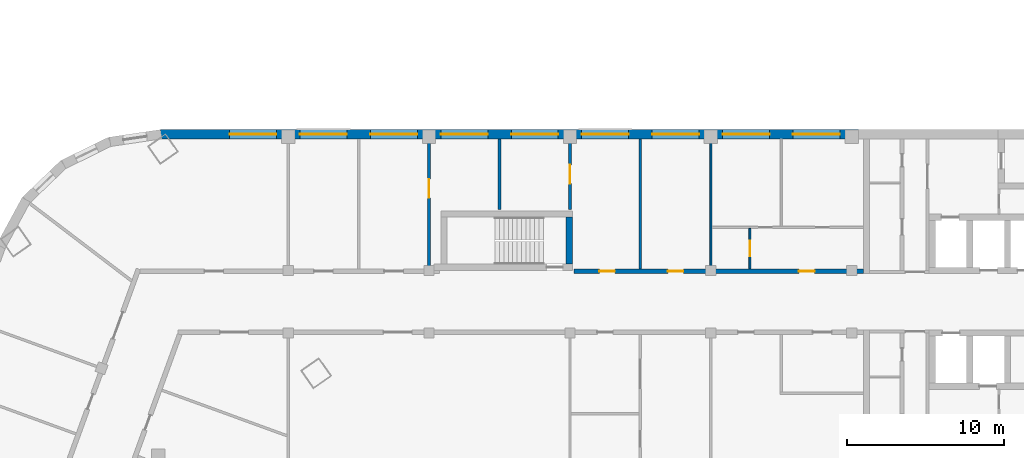
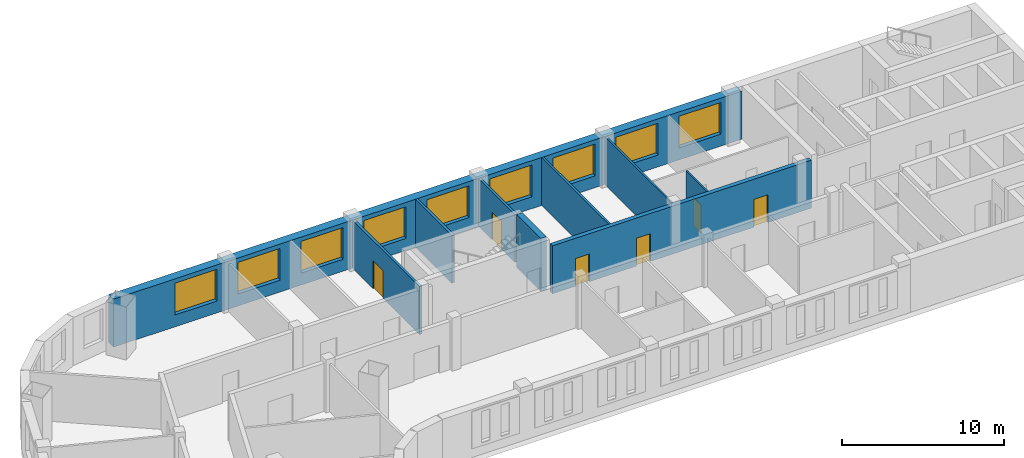
# One storey, part 7 of 11: 9 walls, 9 windows, 6 doors, 15 openings.
"""IFC4 building model written with IfcOpenShell, lengths in metres."""

from ifc_helpers import new_model, si_unit, direction, frame, frame_2d, origin, place, context, subcontext, project, spatial, rectangle, extrude, material, layer, layer_set, type_object, element, fill, save


model = new_model("IFC4")

# Units and contexts
model_context = context("Model", 3, precision=1e-05, world=origin(), true_north=direction((0.0, 1.0)))
body_context = subcontext(model_context, "Body", "Model", "MODEL_VIEW")
ifc_project = project(units=[si_unit("LENGTHUNIT", "METRE"), si_unit("AREAUNIT", "SQUARE_METRE"), si_unit("VOLUMEUNIT", "CUBIC_METRE"), si_unit("PLANEANGLEUNIT", "RADIAN"), si_unit("MASSUNIT", "GRAM", prefix="KILO")], contexts=[model_context])

# Site, building, storey
site_placement = place(None, origin())
site = spatial("IfcSite", under=ifc_project, at=site_placement, CompositionType="ELEMENT")
building_placement = place(site_placement, origin())
building = spatial("IfcBuilding", under=site, at=building_placement, Name="Skarvind Civic Tower", CompositionType="ELEMENT")
storey_placement = place(building_placement, frame((0.0, 0.0, 113.0)))
storey = spatial("IfcBuildingStorey", under=building, at=storey_placement, Name="L26", CompositionType="ELEMENT", Elevation=113.0)

# Wall, opening, door
ifc_material_1 = material(Name="Acoustic gypsum board on steel studs", Category="steel")
ifc_layer_1 = layer(ifc_material_1, 0.175048828125)
ifc_layer_set_1 = layer_set([ifc_layer_1], Name="ACOUSTIC MEETING-ROOM PARTITION 175")
wall_type_1 = type_object("IfcWallType", Name="ACOUSTIC MEETING-ROOM PARTITION 175", PredefinedType="PARTITIONING", material=ifc_layer_set_1)
wall_1_placement = place(storey_placement, frame((63.25, 130.10009765625, 0.0), z_axis=(0.0, 0.0, 1.0), x_axis=(0.0, 1.0, 0.0)))
wall_1 = element("IfcWall", 1, at=wall_1_placement, inside=storey, type_object=wall_type_1, Name="Partition 26.019", PredefinedType="PARTITIONING", context=body_context, shape_type="SweptSolid", body=[
    extrude(rectangle(XDim=8.2998046875, YDim=0.175048828125, at=frame_2d((4.14990234375, 0.0))), origin(), (0.0, 0.0, 1.0), 3.625),
])
opening_1_placement = place(wall_1_placement, frame((4.5400390625, 0.0, 0.0)))
opening_1 = element("IfcOpeningElement", 2, at=opening_1_placement, cuts=wall_1, Name="Opening L26-D008", PredefinedType="OPENING", context=body_context, shape_type="SweptSolid", body=[
    extrude(rectangle(XDim=1.199951171875, YDim=2.10009765625, at=frame_2d((0.60009765625, 1.050048828125))), frame((0.0, 0.097412109375, 0.0), z_axis=(0.0, -1.0, 0.0), x_axis=(1.0, 0.0, 0.0)), (0.0, 0.0, 1.0), 0.195068359375),
])
ifc_material_2 = material(Name="Timber door leaf", Category="wood")
door_type_1 = type_object("IfcDoorType", Name="DOOR 1200X2100 DOUBLE TIMBER", OperationType="NOTDEFINED", PredefinedType="DOOR", material=ifc_material_2)
door_1_placement = place(opening_1_placement, origin())
door_1 = element("IfcDoor", 3, at=door_1_placement, inside=storey, type_object=door_type_1, Name="Door L26-D008", OperationType="DOUBLE_DOOR_SINGLE_SWING", OverallHeight=2.10009765625, OverallWidth=1.199951171875, PredefinedType="DOOR", context=body_context, shape_type="SweptSolid", body=[
    extrude(rectangle(XDim=1.199951171875, YDim=2.10009765625, at=frame_2d((0.60009765625, 1.050048828125))), frame((0.0, 0.02490234375, 0.0), z_axis=(0.0, -1.0, 0.0), x_axis=(1.0, 0.0, 0.0)), (0.0, 0.0, 1.0), 0.050048828125),
])
fill(opening_1, door_1)

# Wall
wall_2_placement = place(storey_placement, frame((67.75, 133.89990234375, 0.0), z_axis=(0.0, 0.0, 1.0), x_axis=(0.0, 1.0, 0.0)))
element("IfcWall", 4, at=wall_2_placement, inside=storey, type_object=wall_type_1, Name="Partition 26.020", PredefinedType="PARTITIONING", context=body_context, shape_type="SweptSolid", body=[
    extrude(rectangle(XDim=4.5, YDim=0.175048828125, at=frame_2d((2.25, 0.0))), origin(), (0.0, 0.0, 1.0), 3.625),
])

# Wall, opening, door
wall_3_placement = place(storey_placement, frame((72.25, 133.89990234375, 0.0), z_axis=(0.0, 0.0, 1.0), x_axis=(0.0, 1.0, 0.0)))
wall_3 = element("IfcWall", 5, at=wall_3_placement, inside=storey, type_object=wall_type_1, Name="Partition 26.023", PredefinedType="PARTITIONING", context=body_context, shape_type="SweptSolid", body=[
    extrude(rectangle(XDim=4.5, YDim=0.175048828125, at=frame_2d((2.25, 0.0))), origin(), (0.0, 0.0, 1.0), 3.625),
])
opening_2_placement = place(wall_3_placement, frame((1.64990234375, 0.0, 0.0)))
opening_2 = element("IfcOpeningElement", 6, at=opening_2_placement, cuts=wall_3, Name="Opening L26-D007", PredefinedType="OPENING", context=body_context, shape_type="SweptSolid", body=[
    extrude(rectangle(XDim=1.199951171875, YDim=2.10009765625, at=frame_2d((0.60009765625, 1.050048828125))), frame((0.0, 0.097412109375, 0.0), z_axis=(0.0, -1.0, 0.0), x_axis=(1.0, 0.0, 0.0)), (0.0, 0.0, 1.0), 0.195068359375),
])
door_2_placement = place(opening_2_placement, origin())
door_2 = element("IfcDoor", 7, at=door_2_placement, inside=storey, type_object=door_type_1, Name="Door L26-D007", OperationType="DOUBLE_DOOR_SINGLE_SWING", OverallHeight=2.10009765625, OverallWidth=1.199951171875, PredefinedType="DOOR", context=body_context, shape_type="SweptSolid", body=[
    extrude(rectangle(XDim=1.199951171875, YDim=2.10009765625, at=frame_2d((0.60009765625, 1.050048828125))), frame((0.0, 0.02490234375, 0.0), z_axis=(0.0, -1.0, 0.0), x_axis=(1.0, 0.0, 0.0)), (0.0, 0.0, 1.0), 0.050048828125),
])
fill(opening_2, door_2)

# Wall, openings, doors
ifc_material_3 = material(Name="Fire-rated gypsum board on steel studs", Category="steel")
ifc_layer_2 = layer(ifc_material_3, 0.300048828125)
ifc_layer_set_2 = layer_set([ifc_layer_2], Name="CORRIDOR WALL 300")
wall_type_2 = type_object("IfcWallType", Name="CORRIDOR WALL 300", PredefinedType="PARTITIONING", material=ifc_layer_set_2)
wall_4_placement = place(storey_placement, frame((72.5, 129.949951171875, 0.0), z_axis=(0.0, 0.0, 1.0), x_axis=(1.0, 0.0, 0.0)))
wall_4 = element("IfcWall", 8, at=wall_4_placement, inside=storey, type_object=wall_type_2, Name="Partition 26.024", PredefinedType="PARTITIONING", context=body_context, shape_type="SweptSolid", body=[
    extrude(rectangle(XDim=18.5, YDim=0.300048828125, at=frame_2d((9.25, 0.0))), origin(), (0.0, 0.0, 1.0), 3.625),
])
opening_3_placement = place(wall_4_placement, frame((14.375, 0.0, 0.0)))
opening_3 = element("IfcOpeningElement", 9, at=opening_3_placement, cuts=wall_4, Name="Opening L26-D001", PredefinedType="OPENING", context=body_context, shape_type="SweptSolid", body=[
    extrude(rectangle(XDim=1.0, YDim=2.10009765625, at=frame_2d((0.5, 1.050048828125))), frame((0.0, 0.159912109375, 0.0), z_axis=(0.0, -1.0, 0.0), x_axis=(1.0, 0.0, 0.0)), (0.0, 0.0, 1.0), 0.320068359375),
])
opening_4_placement = place(wall_4_placement, frame((6.0, 0.0, 0.0)))
opening_4 = element("IfcOpeningElement", 10, at=opening_4_placement, cuts=wall_4, Name="Opening L26-D005", PredefinedType="OPENING", context=body_context, shape_type="SweptSolid", body=[
    extrude(rectangle(XDim=1.0, YDim=2.10009765625, at=frame_2d((0.5, 1.050048828125))), frame((0.0, 0.159912109375, 0.0), z_axis=(0.0, -1.0, 0.0), x_axis=(1.0, 0.0, 0.0)), (0.0, 0.0, 1.0), 0.320068359375),
])
opening_5_placement = place(wall_4_placement, frame((1.625, 0.0, 0.0)))
opening_5 = element("IfcOpeningElement", 11, at=opening_5_placement, cuts=wall_4, Name="Opening L26-D006", PredefinedType="OPENING", context=body_context, shape_type="SweptSolid", body=[
    extrude(rectangle(XDim=1.0, YDim=2.10009765625, at=frame_2d((0.5, 1.050048828125))), frame((0.0, 0.159912109375, 0.0), z_axis=(0.0, -1.0, 0.0), x_axis=(1.0, 0.0, 0.0)), (0.0, 0.0, 1.0), 0.320068359375),
])
ifc_material_4 = material(Name="Fire-rated timber door leaf", Category="wood")
door_type_2 = type_object("IfcDoorType", Name="FD1 1000x2100", OperationType="NOTDEFINED", PredefinedType="DOOR", material=ifc_material_4)
door_3_placement = place(opening_3_placement, origin())
door_3 = element("IfcDoor", 12, at=door_3_placement, inside=storey, type_object=door_type_2, Name="Door L26-D001", OperationType="SINGLE_SWING_LEFT", OverallHeight=2.10009765625, OverallWidth=1.0, PredefinedType="DOOR", context=body_context, shape_type="SweptSolid", body=[
    extrude(rectangle(XDim=1.0, YDim=2.10009765625, at=frame_2d((0.5, 1.050048828125))), frame((0.0, 0.02490234375, 0.0), z_axis=(0.0, -1.0, 0.0), x_axis=(1.0, 0.0, 0.0)), (0.0, 0.0, 1.0), 0.050048828125),
])
fill(opening_3, door_3)
door_4_placement = place(opening_4_placement, origin())
door_4 = element("IfcDoor", 13, at=door_4_placement, inside=storey, type_object=door_type_2, Name="Door L26-D005", OperationType="SINGLE_SWING_RIGHT", OverallHeight=2.10009765625, OverallWidth=1.0, PredefinedType="DOOR", context=body_context, shape_type="SweptSolid", body=[
    extrude(rectangle(XDim=1.0, YDim=2.10009765625, at=frame_2d((0.5, 1.050048828125))), frame((0.0, 0.02490234375, 0.0), z_axis=(0.0, -1.0, 0.0), x_axis=(1.0, 0.0, 0.0)), (0.0, 0.0, 1.0), 0.050048828125),
])
fill(opening_4, door_4)
door_5_placement = place(opening_5_placement, origin())
door_5 = element("IfcDoor", 14, at=door_5_placement, inside=storey, type_object=door_type_2, Name="Door L26-D006", OperationType="SINGLE_SWING_LEFT", OverallHeight=2.10009765625, OverallWidth=1.0, PredefinedType="DOOR", context=body_context, shape_type="SweptSolid", body=[
    extrude(rectangle(XDim=1.0, YDim=2.10009765625, at=frame_2d((0.5, 1.050048828125))), frame((0.0, 0.02490234375, 0.0), z_axis=(0.0, -1.0, 0.0), x_axis=(1.0, 0.0, 0.0)), (0.0, 0.0, 1.0), 0.050048828125),
])
fill(opening_5, door_5)

# Walls
ifc_material_5 = material(Name="Concrete C80", Category="concrete")
ifc_layer_3 = layer(ifc_material_5, 0.39990234375)
ifc_layer_set_3 = layer_set([ifc_layer_3], Name="Core wall 400 C80")
wall_type_3 = type_object("IfcWallType", Name="Core wall 400 C80", PredefinedType="SHEAR", material=ifc_layer_set_3)
wall_5_placement = place(storey_placement, frame((72.199951171875, 130.39990234375, 0.0), z_axis=(0.0, 0.0, 1.0), x_axis=(0.0, 1.0, 0.0)))
element("IfcWall", 15, at=wall_5_placement, inside=storey, type_object=wall_type_3, Name="Core wall CM end L26", PredefinedType="SHEAR", context=body_context, shape_type="SweptSolid", body=[
    extrude(rectangle(XDim=3.0, YDim=0.39990234375, at=frame_2d((1.5, 0.0))), origin(), (0.0, 0.0, 1.0), 4.0),
])
ifc_material_6 = material(Name="Plasterboard partition on steel studs", Category="steel")
ifc_layer_4 = layer(ifc_material_6, 0.14990234375)
ifc_layer_set_4 = layer_set([ifc_layer_4], Name="PARTITION 150")
wall_type_4 = type_object("IfcWallType", Name="PARTITION 150", PredefinedType="PARTITIONING", material=ifc_layer_set_4)
wall_6_placement = place(storey_placement, frame((76.75, 130.10009765625, 0.0), z_axis=(0.0, 0.0, 1.0), x_axis=(0.0, 1.0, 0.0)))
element("IfcWall", 16, at=wall_6_placement, inside=storey, type_object=wall_type_4, Name="Partition 26.026", PredefinedType="PARTITIONING", context=body_context, shape_type="SweptSolid", body=[
    extrude(rectangle(XDim=8.2998046875, YDim=0.14990234375, at=frame_2d((4.14990234375, 0.0))), origin(), (0.0, 0.0, 1.0), 3.625),
])
ifc_material_7 = material(Name="Moisture-resistant gypsum board on steel studs", Category="steel")
ifc_layer_5 = layer(ifc_material_7, 0.125)
ifc_layer_set_5 = layer_set([ifc_layer_5], Name="WC PARTITION 125")
wall_type_5 = type_object("IfcWallType", Name="WC PARTITION 125", PredefinedType="PARTITIONING", material=ifc_layer_set_5)
wall_7_placement = place(storey_placement, frame((81.25, 130.10009765625, 0.0), z_axis=(0.0, 0.0, 1.0), x_axis=(0.0, 1.0, 0.0)))
element("IfcWall", 17, at=wall_7_placement, inside=storey, type_object=wall_type_5, Name="Partition 26.028", PredefinedType="PARTITIONING", context=body_context, shape_type="SweptSolid", body=[
    extrude(rectangle(XDim=8.2998046875, YDim=0.125, at=frame_2d((4.14990234375, 0.0))), origin(), (0.0, 0.0, 1.0), 3.625),
])

# Wall, opening, door
wall_8_placement = place(storey_placement, frame((83.75, 130.10009765625, 0.0), z_axis=(0.0, 0.0, 1.0), x_axis=(0.0, 1.0, 0.0)))
wall_8 = element("IfcWall", 18, at=wall_8_placement, inside=storey, type_object=wall_type_5, Name="Partition 26.030", PredefinedType="PARTITIONING", context=body_context, shape_type="SweptSolid", body=[
    extrude(rectangle(XDim=2.587890625, YDim=0.125, at=frame_2d((1.2939453125, 0.0))), origin(), (0.0, 0.0, 1.0), 3.625),
])
opening_6_placement = place(wall_8_placement, frame((0.7939453125, 0.0, 0.0)))
opening_6 = element("IfcOpeningElement", 19, at=opening_6_placement, cuts=wall_8, Name="Opening L26-D002", PredefinedType="OPENING", context=body_context, shape_type="SweptSolid", body=[
    extrude(rectangle(XDim=1.0, YDim=2.10009765625, at=frame_2d((0.5, 1.050048828125))), frame((0.0, 0.072509765625, 0.0), z_axis=(0.0, -1.0, 0.0), x_axis=(1.0, 0.0, 0.0)), (0.0, 0.0, 1.0), 0.14501953125),
])
door_type_3 = type_object("IfcDoorType", Name="D1 1000x2100", OperationType="NOTDEFINED", PredefinedType="DOOR", material=ifc_material_2)
door_6_placement = place(opening_6_placement, origin())
door_6 = element("IfcDoor", 20, at=door_6_placement, inside=storey, type_object=door_type_3, Name="Door L26-D002", OperationType="SINGLE_SWING_RIGHT", OverallHeight=2.10009765625, OverallWidth=1.0, PredefinedType="DOOR", context=body_context, shape_type="SweptSolid", body=[
    extrude(rectangle(XDim=1.0, YDim=2.10009765625, at=frame_2d((0.5, 1.050048828125))), frame((0.0, 0.02490234375, 0.0), z_axis=(0.0, -1.0, 0.0), x_axis=(1.0, 0.0, 0.0)), (0.0, 0.0, 1.0), 0.050048828125),
])
fill(opening_6, door_6)

# Wall, openings, windows
ifc_material_8 = material(Name="Limestone masonry cladding on insulated backing", Category="masonry")
ifc_layer_6 = layer(ifc_material_8, 0.60009765625)
ifc_layer_set_6 = layer_set([ifc_layer_6], Name="WX1 STONE FACADE WALL 600")
wall_type_6 = type_object("IfcWallType", Name="WX1 STONE FACADE WALL 600", PredefinedType="SOLIDWALL", material=ifc_layer_set_6)
wall_9_placement = place(storey_placement, frame((46.095458984375, 138.699951171875, 0.0), z_axis=(0.0, 0.0, 1.0), x_axis=(1.0, 0.0, 0.0)))
wall_9 = element("IfcWall", 21, at=wall_9_placement, inside=storey, type_object=wall_type_6, Name="STONE FACADE WALL", PredefinedType="SOLIDWALL", context=body_context, shape_type="SweptSolid", body=[
    extrude(rectangle(XDim=44.884521484375, YDim=0.60009765625, at=frame_2d((22.4423828125, 0.0))), origin(), (0.0, 0.0, 1.0), 3.625),
])
opening_7_placement = place(wall_9_placement, frame((4.404541015625, 0.0, 0.89990234375)))
opening_7 = element("IfcOpeningElement", 22, at=opening_7_placement, cuts=wall_9, Name="Opening WN1", PredefinedType="OPENING", context=body_context, shape_type="SweptSolid", body=[
    extrude(rectangle(XDim=3.0, YDim=2.39990234375, at=frame_2d((1.5, 1.199951171875))), frame((0.0, 0.31005859375, 0.0), z_axis=(0.0, -1.0, 0.0), x_axis=(1.0, 0.0, 0.0)), (0.0, 0.0, 1.0), 0.6201171875),
])
opening_8_placement = place(wall_9_placement, frame((8.904541015625, 0.0, 0.89990234375)))
opening_8 = element("IfcOpeningElement", 23, at=opening_8_placement, cuts=wall_9, Name="Opening WN1", PredefinedType="OPENING", context=body_context, shape_type="SweptSolid", body=[
    extrude(rectangle(XDim=3.0, YDim=2.39990234375, at=frame_2d((1.5, 1.199951171875))), frame((0.0, 0.31005859375, 0.0), z_axis=(0.0, -1.0, 0.0), x_axis=(1.0, 0.0, 0.0)), (0.0, 0.0, 1.0), 0.6201171875),
])
opening_9_placement = place(wall_9_placement, frame((13.404541015625, 0.0, 0.89990234375)))
opening_9 = element("IfcOpeningElement", 24, at=opening_9_placement, cuts=wall_9, Name="Opening WN1", PredefinedType="OPENING", context=body_context, shape_type="SweptSolid", body=[
    extrude(rectangle(XDim=3.0, YDim=2.39990234375, at=frame_2d((1.5, 1.199951171875))), frame((0.0, 0.31005859375, 0.0), z_axis=(0.0, -1.0, 0.0), x_axis=(1.0, 0.0, 0.0)), (0.0, 0.0, 1.0), 0.6201171875),
])
opening_10_placement = place(wall_9_placement, frame((17.904541015625, 0.0, 0.89990234375)))
opening_10 = element("IfcOpeningElement", 25, at=opening_10_placement, cuts=wall_9, Name="Opening WN1", PredefinedType="OPENING", context=body_context, shape_type="SweptSolid", body=[
    extrude(rectangle(XDim=3.0, YDim=2.39990234375, at=frame_2d((1.5, 1.199951171875))), frame((0.0, 0.31005859375, 0.0), z_axis=(0.0, -1.0, 0.0), x_axis=(1.0, 0.0, 0.0)), (0.0, 0.0, 1.0), 0.6201171875),
])
opening_11_placement = place(wall_9_placement, frame((22.404541015625, 0.0, 0.89990234375)))
opening_11 = element("IfcOpeningElement", 26, at=opening_11_placement, cuts=wall_9, Name="Opening WN1", PredefinedType="OPENING", context=body_context, shape_type="SweptSolid", body=[
    extrude(rectangle(XDim=3.0, YDim=2.39990234375, at=frame_2d((1.5, 1.199951171875))), frame((0.0, 0.31005859375, 0.0), z_axis=(0.0, -1.0, 0.0), x_axis=(1.0, 0.0, 0.0)), (0.0, 0.0, 1.0), 0.6201171875),
])
opening_12_placement = place(wall_9_placement, frame((26.904541015625, 0.0, 0.89990234375)))
opening_12 = element("IfcOpeningElement", 27, at=opening_12_placement, cuts=wall_9, Name="Opening WN1", PredefinedType="OPENING", context=body_context, shape_type="SweptSolid", body=[
    extrude(rectangle(XDim=3.0, YDim=2.39990234375, at=frame_2d((1.5, 1.199951171875))), frame((0.0, 0.31005859375, 0.0), z_axis=(0.0, -1.0, 0.0), x_axis=(1.0, 0.0, 0.0)), (0.0, 0.0, 1.0), 0.6201171875),
])
opening_13_placement = place(wall_9_placement, frame((31.404541015625, 0.0, 0.89990234375)))
opening_13 = element("IfcOpeningElement", 28, at=opening_13_placement, cuts=wall_9, Name="Opening WN1", PredefinedType="OPENING", context=body_context, shape_type="SweptSolid", body=[
    extrude(rectangle(XDim=3.0, YDim=2.39990234375, at=frame_2d((1.5, 1.199951171875))), frame((0.0, 0.31005859375, 0.0), z_axis=(0.0, -1.0, 0.0), x_axis=(1.0, 0.0, 0.0)), (0.0, 0.0, 1.0), 0.6201171875),
])
opening_14_placement = place(wall_9_placement, frame((35.904541015625, 0.0, 0.89990234375)))
opening_14 = element("IfcOpeningElement", 29, at=opening_14_placement, cuts=wall_9, Name="Opening WN1", PredefinedType="OPENING", context=body_context, shape_type="SweptSolid", body=[
    extrude(rectangle(XDim=3.0, YDim=2.39990234375, at=frame_2d((1.5, 1.199951171875))), frame((0.0, 0.31005859375, 0.0), z_axis=(0.0, -1.0, 0.0), x_axis=(1.0, 0.0, 0.0)), (0.0, 0.0, 1.0), 0.6201171875),
])
opening_15_placement = place(wall_9_placement, frame((40.404541015625, 0.0, 0.89990234375)))
opening_15 = element("IfcOpeningElement", 30, at=opening_15_placement, cuts=wall_9, Name="Opening WN1", PredefinedType="OPENING", context=body_context, shape_type="SweptSolid", body=[
    extrude(rectangle(XDim=3.0, YDim=2.39990234375, at=frame_2d((1.5, 1.199951171875))), frame((0.0, 0.31005859375, 0.0), z_axis=(0.0, -1.0, 0.0), x_axis=(1.0, 0.0, 0.0)), (0.0, 0.0, 1.0), 0.6201171875),
])
ifc_material_9 = material(Name="Timber frame, double glazing, timber-lined reveal", Category="wood")
window_type = type_object("IfcWindowType", Name="WN1 PUNCHED STONE WINDOW 3000 x 2400", PartitioningType="SINGLE_PANEL", PredefinedType="WINDOW", material=ifc_material_9)
window_1_placement = place(opening_7_placement, origin())
window_1 = element("IfcWindow", 31, at=window_1_placement, inside=storey, type_object=window_type, Name="WN1 WINDOW", OverallHeight=2.39990234375, OverallWidth=3.0, PartitioningType="SINGLE_PANEL", PredefinedType="WINDOW", context=body_context, shape_type="SweptSolid", body=[
    extrude(rectangle(XDim=3.0, YDim=2.39990234375, at=frame_2d((1.5, 1.199951171875))), frame((0.0, 0.030029296875, 0.0), z_axis=(0.0, -1.0, 0.0), x_axis=(1.0, 0.0, 0.0)), (0.0, 0.0, 1.0), 0.06005859375),
])
fill(opening_7, window_1)
window_2_placement = place(opening_8_placement, origin())
window_2 = element("IfcWindow", 32, at=window_2_placement, inside=storey, type_object=window_type, Name="WN1 WINDOW", OverallHeight=2.39990234375, OverallWidth=3.0, PartitioningType="SINGLE_PANEL", PredefinedType="WINDOW", context=body_context, shape_type="SweptSolid", body=[
    extrude(rectangle(XDim=3.0, YDim=2.39990234375, at=frame_2d((1.5, 1.199951171875))), frame((0.0, 0.030029296875, 0.0), z_axis=(0.0, -1.0, 0.0), x_axis=(1.0, 0.0, 0.0)), (0.0, 0.0, 1.0), 0.06005859375),
])
fill(opening_8, window_2)
window_3_placement = place(opening_9_placement, origin())
window_3 = element("IfcWindow", 33, at=window_3_placement, inside=storey, type_object=window_type, Name="WN1 WINDOW", OverallHeight=2.39990234375, OverallWidth=3.0, PartitioningType="SINGLE_PANEL", PredefinedType="WINDOW", context=body_context, shape_type="SweptSolid", body=[
    extrude(rectangle(XDim=3.0, YDim=2.39990234375, at=frame_2d((1.5, 1.199951171875))), frame((0.0, 0.030029296875, 0.0), z_axis=(0.0, -1.0, 0.0), x_axis=(1.0, 0.0, 0.0)), (0.0, 0.0, 1.0), 0.06005859375),
])
fill(opening_9, window_3)
window_4_placement = place(opening_10_placement, origin())
window_4 = element("IfcWindow", 34, at=window_4_placement, inside=storey, type_object=window_type, Name="WN1 WINDOW", OverallHeight=2.39990234375, OverallWidth=3.0, PartitioningType="SINGLE_PANEL", PredefinedType="WINDOW", context=body_context, shape_type="SweptSolid", body=[
    extrude(rectangle(XDim=3.0, YDim=2.39990234375, at=frame_2d((1.5, 1.199951171875))), frame((0.0, 0.030029296875, 0.0), z_axis=(0.0, -1.0, 0.0), x_axis=(1.0, 0.0, 0.0)), (0.0, 0.0, 1.0), 0.06005859375),
])
fill(opening_10, window_4)
window_5_placement = place(opening_11_placement, origin())
window_5 = element("IfcWindow", 35, at=window_5_placement, inside=storey, type_object=window_type, Name="WN1 WINDOW", OverallHeight=2.39990234375, OverallWidth=3.0, PartitioningType="SINGLE_PANEL", PredefinedType="WINDOW", context=body_context, shape_type="SweptSolid", body=[
    extrude(rectangle(XDim=3.0, YDim=2.39990234375, at=frame_2d((1.5, 1.199951171875))), frame((0.0, 0.030029296875, 0.0), z_axis=(0.0, -1.0, 0.0), x_axis=(1.0, 0.0, 0.0)), (0.0, 0.0, 1.0), 0.06005859375),
])
fill(opening_11, window_5)
window_6_placement = place(opening_12_placement, origin())
window_6 = element("IfcWindow", 36, at=window_6_placement, inside=storey, type_object=window_type, Name="WN1 WINDOW", OverallHeight=2.39990234375, OverallWidth=3.0, PartitioningType="SINGLE_PANEL", PredefinedType="WINDOW", context=body_context, shape_type="SweptSolid", body=[
    extrude(rectangle(XDim=3.0, YDim=2.39990234375, at=frame_2d((1.5, 1.199951171875))), frame((0.0, 0.030029296875, 0.0), z_axis=(0.0, -1.0, 0.0), x_axis=(1.0, 0.0, 0.0)), (0.0, 0.0, 1.0), 0.06005859375),
])
fill(opening_12, window_6)
window_7_placement = place(opening_13_placement, origin())
window_7 = element("IfcWindow", 37, at=window_7_placement, inside=storey, type_object=window_type, Name="WN1 WINDOW", OverallHeight=2.39990234375, OverallWidth=3.0, PartitioningType="SINGLE_PANEL", PredefinedType="WINDOW", context=body_context, shape_type="SweptSolid", body=[
    extrude(rectangle(XDim=3.0, YDim=2.39990234375, at=frame_2d((1.5, 1.199951171875))), frame((0.0, 0.030029296875, 0.0), z_axis=(0.0, -1.0, 0.0), x_axis=(1.0, 0.0, 0.0)), (0.0, 0.0, 1.0), 0.06005859375),
])
fill(opening_13, window_7)
window_8_placement = place(opening_14_placement, origin())
window_8 = element("IfcWindow", 38, at=window_8_placement, inside=storey, type_object=window_type, Name="WN1 WINDOW", OverallHeight=2.39990234375, OverallWidth=3.0, PartitioningType="SINGLE_PANEL", PredefinedType="WINDOW", context=body_context, shape_type="SweptSolid", body=[
    extrude(rectangle(XDim=3.0, YDim=2.39990234375, at=frame_2d((1.5, 1.199951171875))), frame((0.0, 0.030029296875, 0.0), z_axis=(0.0, -1.0, 0.0), x_axis=(1.0, 0.0, 0.0)), (0.0, 0.0, 1.0), 0.06005859375),
])
fill(opening_14, window_8)
window_9_placement = place(opening_15_placement, origin())
window_9 = element("IfcWindow", 39, at=window_9_placement, inside=storey, type_object=window_type, Name="WN1 WINDOW", OverallHeight=2.39990234375, OverallWidth=3.0, PartitioningType="SINGLE_PANEL", PredefinedType="WINDOW", context=body_context, shape_type="SweptSolid", body=[
    extrude(rectangle(XDim=3.0, YDim=2.39990234375, at=frame_2d((1.5, 1.199951171875))), frame((0.0, 0.030029296875, 0.0), z_axis=(0.0, -1.0, 0.0), x_axis=(1.0, 0.0, 0.0)), (0.0, 0.0, 1.0), 0.06005859375),
])
fill(opening_15, window_9)

save(model, "model.ifc")
